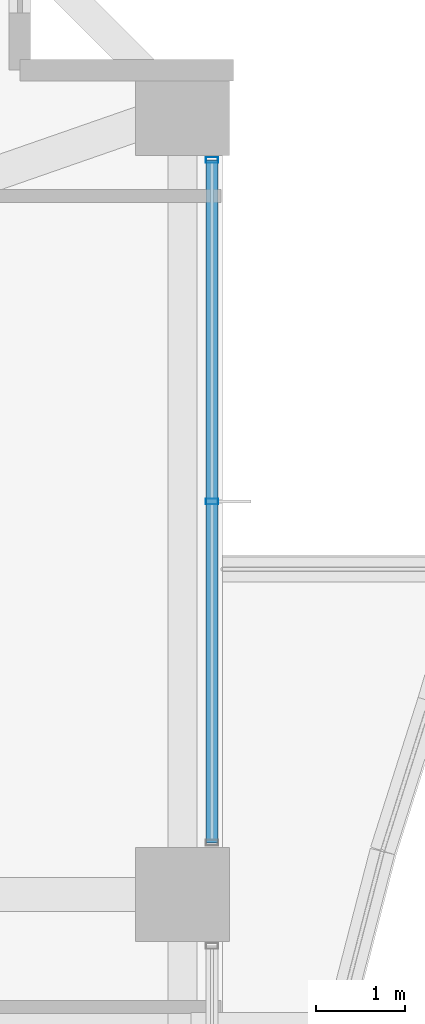
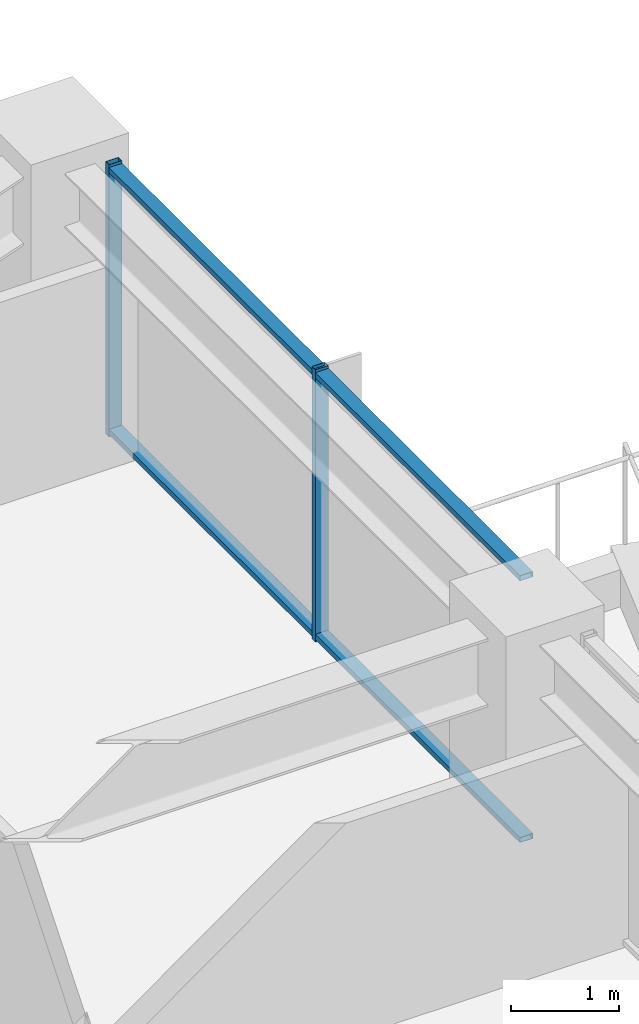
# One storey, part 22 of 38: 4 members, 1 element without a shape of its own.
"""IFC4 building model written with IfcOpenShell, lengths in metres."""

from ifc_helpers import new_model, si_unit, direction, frame, origin, origin_2d, place, context, subcontext, project, spatial, hollow_rectangle, extrude, material, material_profile, profile_set, type_object, element, aggregate, save


model = new_model("IFC4")

# Units and contexts
model_context = context("Model", 3, precision=1e-05, world=origin(), true_north=direction((0.0, 1.0)))
body_context = subcontext(model_context, "Body", "Model", "MODEL_VIEW")
ifc_project = project(units=[si_unit("LENGTHUNIT", "METRE"), si_unit("AREAUNIT", "SQUARE_METRE"), si_unit("VOLUMEUNIT", "CUBIC_METRE"), si_unit("PLANEANGLEUNIT", "RADIAN"), si_unit("MASSUNIT", "GRAM", prefix="KILO")], contexts=[model_context])

# Site, building, storey
site_placement = place(None, origin())
site = spatial("IfcSite", under=ifc_project, at=site_placement, CompositionType="ELEMENT")
building_placement = place(site_placement, origin())
building = spatial("IfcBuilding", under=site, at=building_placement, Name="Kolvaren Belvedere", CompositionType="ELEMENT")
storey_placement = place(building_placement, frame((0.0, 0.0, 101.89990234375)))
storey = spatial("IfcBuildingStorey", under=building, at=storey_placement, Name="L29", CompositionType="ELEMENT", Elevation=101.89990234375)

# Curtain wall, members
ifc_material_1 = material(Name="Anodised pale-metal aluminium AA 6063-T6", Category="aluminium")
curtain_wall_type = type_object("IfcCurtainWallType", Name="CW-Z2-MID", PredefinedType="NOTDEFINED", material=ifc_material_1)
curtain_wall_placement = place(storey_placement, origin())
curtain_wall = element("IfcCurtainWall", 1, at=curtain_wall_placement, inside=storey, type_object=curtain_wall_type, Name="L29 Unitised Curtain Wall FCW-L29-E1-B1", PredefinedType="NOTDEFINED")
ifc_material_2 = material(Name="Anodised pale-metal aluminium AA 6063-T6", Category="aluminium")
ifc_material_profile_1 = material_profile(ifc_material_2, hollow_rectangle(XDim=0.06494140625, YDim=0.139892578125, WallThickness=0.00390625, at=origin_2d()), Name="ALU-MUL-140X65")
ifc_profile_set_1 = profile_set([ifc_material_profile_1], Name="Anodised pale-metal aluminium AA 6063-T6")
member_type_1 = type_object("IfcMemberType", Name="CW-MUL-140", PredefinedType="MULLION", material=ifc_profile_set_1)
member_1_placement = place(storey_placement, frame((20.280029296875, 12.822509765625, 0.0), z_axis=(0.0, 0.0, 1.0), x_axis=(0.0, 1.0, 0.0)))
member_1 = element("IfcMember", 2, at=member_1_placement, type_object=member_type_1, Name="FCW-L29-E1-B1 Unitised Mullion 1", PredefinedType="MULLION", context=body_context, shape_type="SweptSolid", body=[
    extrude(hollow_rectangle(XDim=0.06494140625, YDim=0.139892578125, WallThickness=0.00390625, at=origin_2d()), origin(), (0.0, 0.0, 1.0), 3.080078125),
])
member_2_placement = place(storey_placement, frame((20.280029296875, 9.0, 0.0), z_axis=(0.0, 0.0, 1.0), x_axis=(0.0, 1.0, 0.0)))
member_2 = element("IfcMember", 3, at=member_2_placement, type_object=member_type_1, Name="FCW-L29-E1-B1 Unitised Mullion 2", PredefinedType="MULLION", context=body_context, shape_type="SweptSolid", body=[
    extrude(hollow_rectangle(XDim=0.06494140625, YDim=0.139892578125, WallThickness=0.00390625, at=origin_2d()), origin(), (0.0, 0.0, 1.0), 3.080078125),
])
ifc_material_3 = material(Name="Anodised pale-metal aluminium AA 6063-T6", Category="aluminium")
ifc_material_profile_2 = material_profile(ifc_material_3, hollow_rectangle(XDim=0.06005859375, YDim=0.139892578125, WallThickness=0.00390625, at=origin_2d()), Name="ALU-TRN-140X60")
ifc_profile_set_2 = profile_set([ifc_material_profile_2], Name="Anodised pale-metal aluminium AA 6063-T6")
member_type_2 = type_object("IfcMemberType", Name="CW-TRN-140", PredefinedType="USERDEFINED", material=ifc_profile_set_2)
member_3_placement = place(storey_placement, frame((20.280029296875, 12.822509765625, 0.06005859375), z_axis=(0.0, -1.0, 0.0), x_axis=(0.0, 0.0, 1.0)))
member_3 = element("IfcMember", 4, at=member_3_placement, type_object=member_type_2, Name="FCW-L29-E1-B1 Sill Transom", ObjectType="TRANSOM", PredefinedType="USERDEFINED", context=body_context, shape_type="SweptSolid", body=[
    extrude(hollow_rectangle(XDim=0.06005859375, YDim=0.139892578125, WallThickness=0.00390625, at=origin_2d()), origin(), (0.0, 0.0, 1.0), 7.64501953125),
])
member_4_placement = place(storey_placement, frame((20.280029296875, 12.822509765625, 3.02001953125), z_axis=(0.0, -1.0, 0.0), x_axis=(0.0, 0.0, 1.0)))
member_4 = element("IfcMember", 5, at=member_4_placement, type_object=member_type_2, Name="FCW-L29-E1-B1 Head Transom", ObjectType="TRANSOM", PredefinedType="USERDEFINED", context=body_context, shape_type="SweptSolid", body=[
    extrude(hollow_rectangle(XDim=0.06005859375, YDim=0.139892578125, WallThickness=0.00390625, at=origin_2d()), origin(), (0.0, 0.0, 1.0), 7.64501953125),
])
aggregate(curtain_wall, [member_1, member_2, member_3, member_4])

save(model, "model.ifc")
